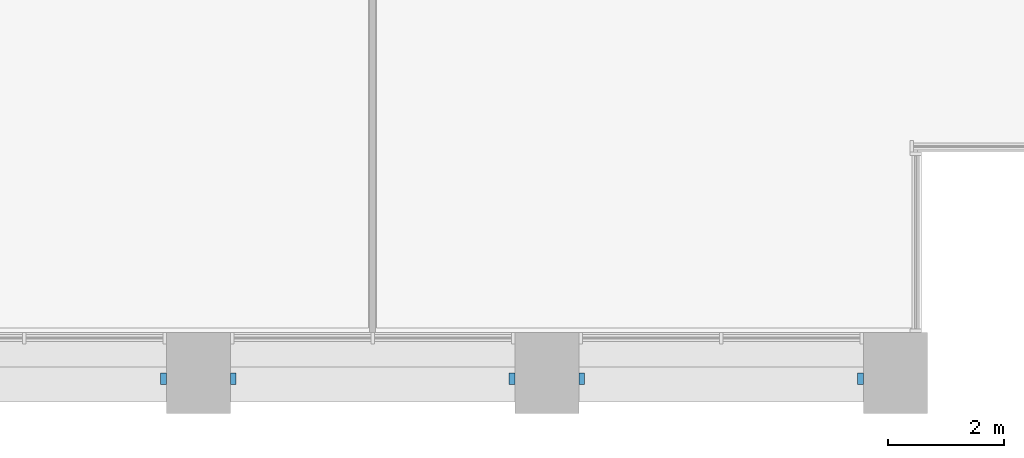
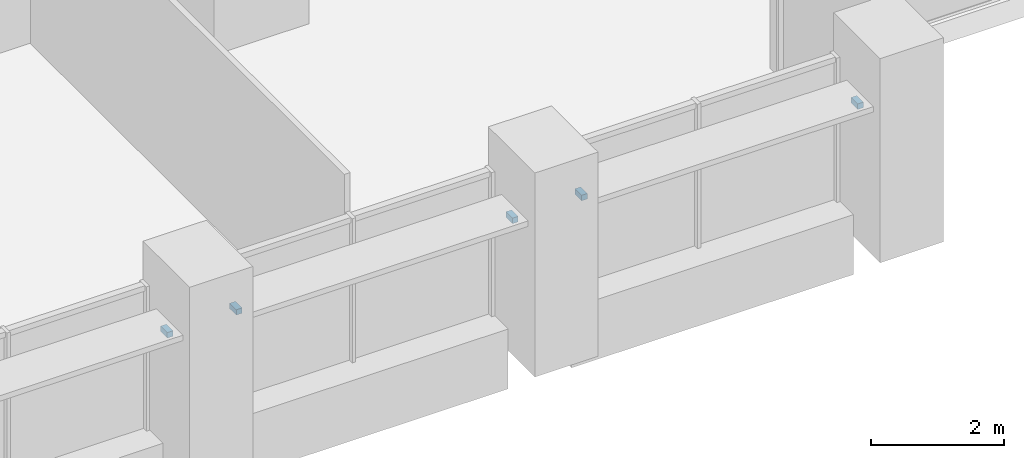
# One storey, part 16 of 18: 5 discrete accessories.
"""IFC4 building model written with IfcOpenShell, lengths in metres."""

from ifc_helpers import new_model, si_unit, direction, frame, origin, origin_2d, place, context, subcontext, project, spatial, rectangle, extrude, element, save


model = new_model("IFC4")

# Units and contexts
model_context = context("Model", 3, precision=1e-05, world=origin(), true_north=direction((0.0, 1.0)))
body_context = subcontext(model_context, "Body", "Model", "MODEL_VIEW")
ifc_project = project(units=[si_unit("LENGTHUNIT", "METRE"), si_unit("AREAUNIT", "SQUARE_METRE"), si_unit("VOLUMEUNIT", "CUBIC_METRE"), si_unit("PLANEANGLEUNIT", "RADIAN"), si_unit("MASSUNIT", "GRAM", prefix="KILO")], contexts=[model_context])

# Site, building, storey
site_placement = place(None, origin())
site = spatial("IfcSite", under=ifc_project, at=site_placement, CompositionType="ELEMENT")
building_placement = place(site_placement, origin())
building = spatial("IfcBuilding", under=site, at=building_placement, Name="Calvaro Tower", CompositionType="ELEMENT")
storey_placement = place(building_placement, frame((0.0, 0.0, 56.25)))
storey = spatial("IfcBuildingStorey", under=building, at=storey_placement, Name="L13", CompositionType="ELEMENT", Elevation=56.25)

# Discrete accessories
for number, where, z_axis, x_axis, name in (
    (1, (59.39990234375, 0.60009765625, 2.14990234375), (0.0, 0.0, 1.0), (1.0, 0.0, 0.0), "Brise-soleil bracket"),
    (2, (60.60009765625, 0.60009765625, 2.14990234375), (0.0, 0.0, 1.0), (1.0, 0.0, 0.0), "Brise-soleil bracket"),
    (3, (65.39990234375, 0.60009765625, 2.14990234375), (0.0, 0.0, 1.0), (1.0, 0.0, 0.0), "Brise-soleil bracket"),
    (4, (66.60009765625, 0.60009765625, 2.14990234375), (0.0, 0.0, 1.0), (1.0, 0.0, 0.0), "Brise-soleil bracket"),
    (5, (71.39990234375, 0.60009765625, 2.14990234375), (0.0, 0.0, 1.0), (1.0, 0.0, 0.0), "Brise-soleil bracket"),
):
    element("IfcDiscreteAccessory", number, at=place(storey_placement, frame(where, z_axis=z_axis, x_axis=x_axis)), inside=storey, Name=name, PredefinedType="BRACKET", context=body_context, shape_type="SweptSolid", body=[
        extrude(rectangle(XDim=0.10009765625, YDim=0.199951171875, at=origin_2d()), origin(), (0.0, 0.0, 1.0), 0.10009765625),
    ])

save(model, "model.ifc")
